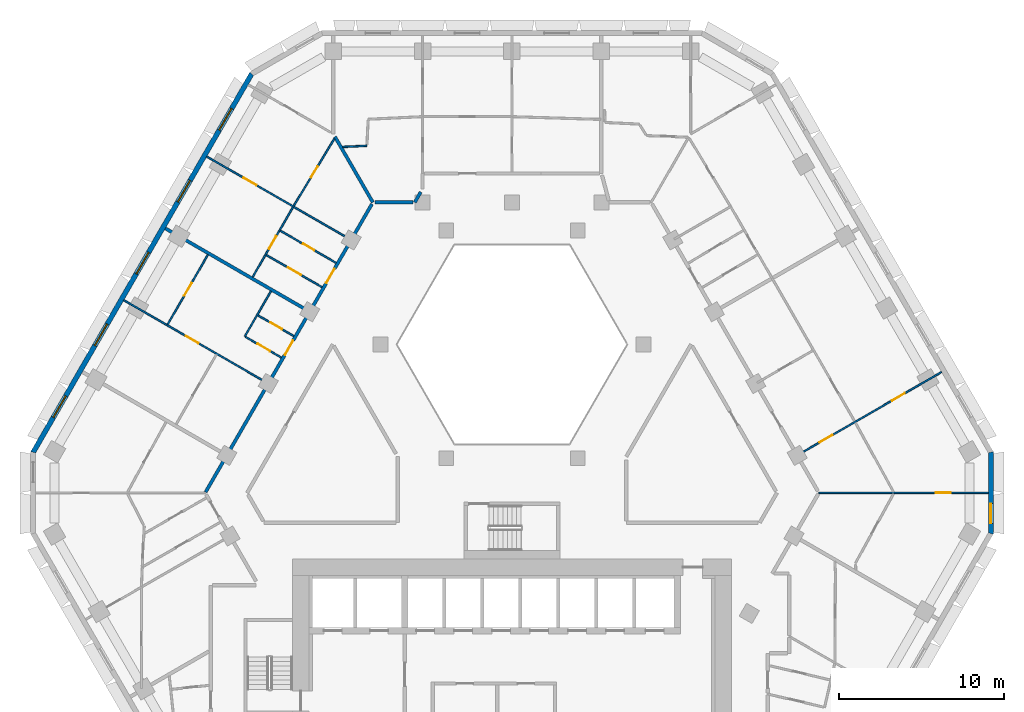
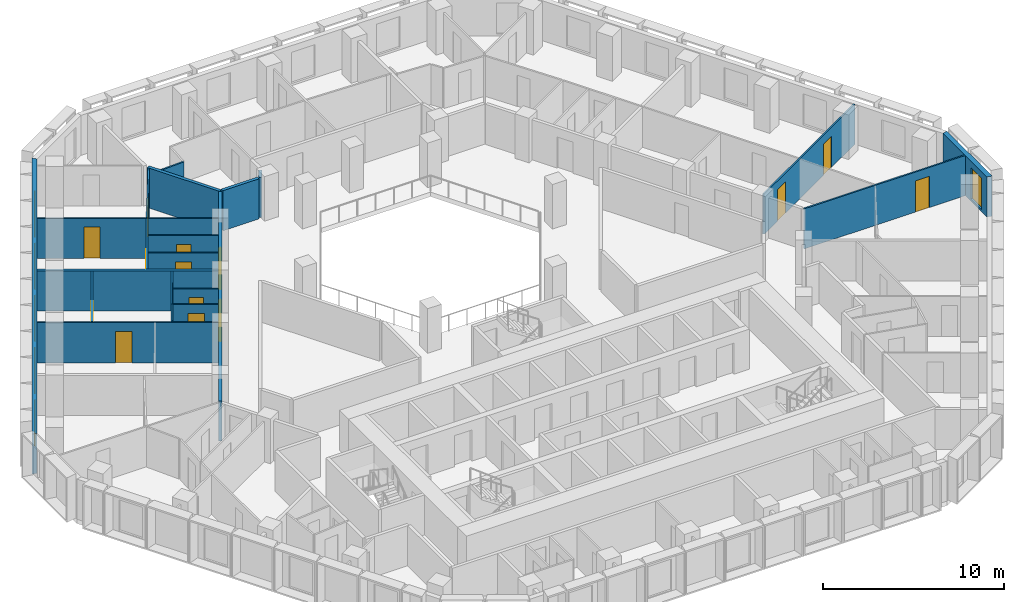
# One storey, part 7 of 15: 20 walls, 14 doors, 6 windows, 20 openings.
"""IFC4 building model written with IfcOpenShell, lengths in metres."""

import ifcopenshell
import ifcopenshell.guid

model = None  # the IFC model being written
_history = None  # IfcOwnerHistory: only IFC2X3 demands one
_inside = {}  # id of a spatial element -> (the spatial element, [elements in it])
_under = {}  # id of a project, library or spatial element -> (it, [spatial elements below it])
_declared = {}  # id of a project -> (the project, [libraries it declares])
_typed = {}  # id of a type object -> (the type object, [elements of that type])
_made_of = {}  # id of a material, layer set ... -> (it, [elements and type objects made of it])


def new_model(schema):
    """Start an empty IFC model of exactly this schema.

    Asked for "IFC4X3", IfcOpenShell would pick the latest addendum, in which some entities
    have other attributes; the version numbers below select the first issue.
    IFC2X3 requires an IfcOwnerHistory on every rooted entity: one is made here for all.
    """
    global model, _history
    if schema == "IFC4X3":
        model = ifcopenshell.file(schema_version=(4, 3, 0, 0))
    else:
        model = ifcopenshell.file(schema=schema)
    _inside.clear()
    _under.clear()
    _declared.clear()
    _typed.clear()
    _made_of.clear()
    _history = None
    if model.schema == "IFC2X3":
        org = make("IfcOrganization", Name="unknown")
        user = make(
            "IfcPersonAndOrganization",
            ThePerson=make("IfcPerson", FamilyName="unknown"),
            TheOrganization=org,
        )
        app = make(
            "IfcApplication",
            ApplicationDeveloper=org,
            Version="unknown",
            ApplicationFullName="unknown",
            ApplicationIdentifier="unknown",
        )
        _history = make(
            "IfcOwnerHistory",
            OwningUser=user,
            OwningApplication=app,
            ChangeAction="ADDED",
            CreationDate=0,
        )
    return model


def make(cls, **values):
    """One entity of the class cls with the attributes given. An attribute that is None is left unset."""
    return model.create_entity(
        cls, **{name: value for name, value in values.items() if value is not None}
    )


def rooted(cls, **values):
    """An entity with a GlobalId (a new one), such as an element, a storey or a relation."""
    return make(cls, GlobalId=ifcopenshell.guid.new(), OwnerHistory=_history, **values)


def si_unit(unit_type, name, prefix=None):
    """IfcSIUnit, for example si_unit("LENGTHUNIT", "METRE", prefix="MILLI")."""
    return make("IfcSIUnit", UnitType=unit_type, Prefix=prefix, Name=name)


def assignment(units):
    """IfcUnitAssignment: the units of a project."""
    return None if units is None else make("IfcUnitAssignment", Units=units)


def point(xyz):
    """IfcCartesianPoint."""
    return None if xyz is None else make("IfcCartesianPoint", Coordinates=xyz)


def direction(xyz):
    """IfcDirection."""
    return None if xyz is None else make("IfcDirection", DirectionRatios=xyz)


def frame(location, z_axis=None, x_axis=None):
    """IfcAxis2Placement3D, a coordinate frame: its origin and axes. An axis left out is left unset."""
    return make(
        "IfcAxis2Placement3D",
        Location=point(location),
        Axis=direction(z_axis),
        RefDirection=direction(x_axis),
    )


def frame_2d(location, x_axis=None):
    """IfcAxis2Placement2D, a coordinate frame in the plane: its origin and x axis."""
    return make(
        "IfcAxis2Placement2D", Location=point(location), RefDirection=direction(x_axis)
    )


def origin():
    """The frame at (0, 0, 0) with its axes left unset."""
    return frame((0.0, 0.0, 0.0))


def place(relative_to, where):
    """IfcLocalPlacement: puts the frame where relative to a parent placement (None: the world)."""
    return make(
        "IfcLocalPlacement", PlacementRelTo=relative_to, RelativePlacement=where
    )


def context(
    kind, dimensions, precision=None, world=None, true_north=None, identifier=None
):
    """IfcGeometricRepresentationContext, for example the 3D "Model" context."""
    return make(
        "IfcGeometricRepresentationContext",
        ContextIdentifier=identifier,
        ContextType=kind,
        CoordinateSpaceDimension=dimensions,
        Precision=precision,
        WorldCoordinateSystem=world,
        TrueNorth=true_north,
    )


def subcontext(parent, identifier, kind, view, scale=None):
    """IfcGeometricRepresentationSubContext, for example "Body" below "Model"."""
    return make(
        "IfcGeometricRepresentationSubContext",
        ContextIdentifier=identifier,
        ContextType=kind,
        ParentContext=parent,
        TargetScale=scale,
        TargetView=view,
    )


def project(units=None, contexts=None):
    """IfcProject with its units and contexts."""
    return rooted(
        "IfcProject",
        Name="project",
        RepresentationContexts=contexts,
        UnitsInContext=assignment(units),
    )


def spatial(cls, under=None, at=None, **own):
    """A site, building, storey or space (cls), placed at a placement, below another one or the project."""
    s = rooted(cls, ObjectPlacement=at, **own)
    if under is not None:
        _under.setdefault(under.id(), (under, []))[1].append(s)
    return s


def polyline(points):
    """IfcPolyline through the points."""
    return make("IfcPolyline", Points=[point(p) for p in points])


def profile(cls, at=None, kind="AREA", **sizes):
    """A parametric profile (cls). Its sizes go by their IFC names, for example OverallWidth=200.0."""
    return make(cls, ProfileType=kind, Position=at, **sizes)


def rectangle(**sizes):
    """IfcRectangleProfileDef."""
    return profile("IfcRectangleProfileDef", **sizes)


def outline(outer, holes=None, kind="AREA"):
    """IfcArbitraryClosedProfileDef: a profile drawn as a closed curve; with holes, ...WithVoids."""
    if holes is None:
        return make("IfcArbitraryClosedProfileDef", ProfileType=kind, OuterCurve=outer)
    return make(
        "IfcArbitraryProfileDefWithVoids",
        ProfileType=kind,
        OuterCurve=outer,
        InnerCurves=holes,
    )


def extrude(swept, where, along, depth):
    """IfcExtrudedAreaSolid: the profile swept, set in the frame where, extruded along a direction by depth."""
    return make(
        "IfcExtrudedAreaSolid",
        SweptArea=swept,
        Position=where,
        ExtrudedDirection=direction(along),
        Depth=depth,
    )


def shape(context_of_items, identifier, shape_type, items):
    """IfcShapeRepresentation: the items that make up one representation, for example the "Body"."""
    return make(
        "IfcShapeRepresentation",
        ContextOfItems=context_of_items,
        RepresentationIdentifier=identifier,
        RepresentationType=shape_type,
        Items=items,
    )


def material(Name=None, Category=None):
    """IfcMaterial."""
    return make("IfcMaterial", Name=Name, Category=Category)


def layer(
    of_material, thickness, ventilated=None, Name=None, Category=None, Priority=None
):
    """IfcMaterialLayer: one layer of a wall or slab, of a material (None: an air gap)."""
    return make(
        "IfcMaterialLayer",
        Material=of_material,
        LayerThickness=thickness,
        IsVentilated=ventilated,
        Name=Name,
        Category=Category,
        Priority=Priority,
    )


def layer_set(layers, Name=None):
    """IfcMaterialLayerSet."""
    return make("IfcMaterialLayerSet", MaterialLayers=layers, LayerSetName=Name)


def made_of(thing, what):
    """Note that an element or type object is made of a material, layer set ...; save() writes the relation."""
    if what is not None:
        _made_of.setdefault(what.id(), (what, []))[1].append(thing)
    return thing


def type_object(cls, material=None, **own):
    """A type object (cls), such as IfcWallType, which elements share."""
    return made_of(rooted(cls, **own), material)


def element(
    cls,
    number,
    at=None,
    inside=None,
    cuts=None,
    type_object=None,
    material=None,
    context=None,
    identifier="Body",
    shape_type=None,
    held_by="IfcProductDefinitionShape",
    body=None,
    shapes=None,
    **own,
):
    """One element of the class cls, such as IfcWall. Its Tag is "e" and its number.

    at: its placement. inside: the storey or other place that contains it. cuts: it is an
    opening in that element (IfcRelVoidsElement). A single representation is given by context,
    identifier, shape_type and body (its items); several are given by shapes. held_by: the class
    of the entity that holds the representations. save() writes the other relations.
    """
    e = rooted(cls, Tag="e%d" % number, ObjectPlacement=at, **own)
    if body is not None:
        shapes = [shape(context, identifier, shape_type, body)]
    if shapes is not None:
        e.Representation = make(held_by, Representations=shapes)
    if inside is not None:
        _inside.setdefault(inside.id(), (inside, []))[1].append(e)
    if cuts is not None:
        rooted(
            "IfcRelVoidsElement", RelatingBuildingElement=cuts, RelatedOpeningElement=e
        )
    if type_object is not None:
        _typed.setdefault(type_object.id(), (type_object, []))[1].append(e)
    return made_of(e, material)


def fill(opening, filler):
    """IfcRelFillsElement: the door or window that sits in an opening."""
    return rooted(
        "IfcRelFillsElement",
        RelatingOpeningElement=opening,
        RelatedBuildingElement=filler,
    )


def aggregate(whole, parts):
    """IfcRelAggregates: a whole, such as a stair, and the parts it consists of."""
    return rooted("IfcRelAggregates", RelatingObject=whole, RelatedObjects=parts)


def save(model, path):
    """Write the relations noted so far, then the file.

    IfcRelAggregates (storeys below a building ...), IfcRelContainedInSpatialStructure (elements
    in a storey), IfcRelDefinesByType, IfcRelAssociatesMaterial and IfcRelDeclares: one each for
    every whole, place, type object, material and project.
    """
    for whole, parts in _under.values():
        aggregate(whole, parts)
    for where, things in _inside.values():
        rooted(
            "IfcRelContainedInSpatialStructure",
            RelatedElements=things,
            RelatingStructure=where,
        )
    for kind, things in _typed.values():
        rooted("IfcRelDefinesByType", RelatedObjects=things, RelatingType=kind)
    for what, things in _made_of.values():
        rooted("IfcRelAssociatesMaterial", RelatedObjects=things, RelatingMaterial=what)
    for by, libraries in _declared.values():
        rooted("IfcRelDeclares", RelatingContext=by, RelatedDefinitions=libraries)
    model.write(path)


model = new_model("IFC4")

# Units and contexts
model_context = context("Model", 3, precision=1e-05, world=origin(), true_north=direction((0.0, 1.0)))
body_context = subcontext(model_context, "Body", "Model", "MODEL_VIEW")
ifc_project = project(units=[si_unit("LENGTHUNIT", "METRE"), si_unit("AREAUNIT", "SQUARE_METRE"), si_unit("VOLUMEUNIT", "CUBIC_METRE"), si_unit("PLANEANGLEUNIT", "RADIAN"), si_unit("MASSUNIT", "GRAM", prefix="KILO")], contexts=[model_context])

# Site, building, storey
site_placement = place(None, origin())
site = spatial("IfcSite", under=ifc_project, at=site_placement, CompositionType="ELEMENT")
building_placement = place(site_placement, origin())
building = spatial("IfcBuilding", under=site, at=building_placement, Name="Beryl Residences", CompositionType="ELEMENT")
storey_placement = place(building_placement, frame((0.0, 0.0, 102.0)))
storey = spatial("IfcBuildingStorey", under=building, at=storey_placement, Name="L31", CompositionType="ELEMENT", Elevation=102.0)

# Wall, openings, windows
ifc_material_1 = material(Name="Composite metal panel with mineral wool insulation")
ifc_layer_1 = layer(ifc_material_1, 0.300048828125)
ifc_layer_set_1 = layer_set([ifc_layer_1], Name="ES1 pale metal composite panel wall 300 mm")
wall_type_1 = type_object("IfcWallType", Name="ES1 pale metal composite panel wall 300 mm", PredefinedType="SOLIDWALL", material=ifc_layer_set_1)
wall_1_placement = place(storey_placement, frame((-15.7470703125, 24.425048828125, 0.0), z_axis=(0.0, 0.0, 1.0), x_axis=(-0.500027479704, -0.866009537788, 0.0)))
wall_1 = element("IfcWall", 1, at=wall_1_placement, inside=storey, type_object=wall_type_1, Name="ES1 external wall L31 NW", PredefinedType="SOLIDWALL", context=body_context, shape_type="SweptSolid", body=[
    extrude(outline(polyline([(0.0, -0.14990234375), (26.55859375, -0.14990234375), (26.478271484375, 0.14990234375), (0.080322265625, 0.14990234375), (0.0, -0.14990234375)])), origin(), (0.0, 0.0, 1.0), 2.699951171875),
])
opening_1_placement = place(wall_1_placement, frame((2.48291015625, 0.0, 0.14990234375)))
opening_1 = element("IfcOpeningElement", 2, at=opening_1_placement, cuts=wall_1, Name="Opening W1", PredefinedType="OPENING", context=body_context, shape_type="SweptSolid", body=[
    extrude(rectangle(XDim=1.5, YDim=2.10009765625, at=frame_2d((0.75, 1.050048828125))), frame((0.0, 0.159912109375, 0.0), z_axis=(0.0, -1.0, 0.0), x_axis=(1.0, 0.0, 0.0)), (0.0, 0.0, 1.0), 0.320068359375),
])
opening_2_placement = place(wall_1_placement, frame((7.506103515625, 0.0, 0.14990234375)))
opening_2 = element("IfcOpeningElement", 3, at=opening_2_placement, cuts=wall_1, Name="Opening W1", PredefinedType="OPENING", context=body_context, shape_type="SweptSolid", body=[
    extrude(rectangle(XDim=1.5, YDim=2.10009765625, at=frame_2d((0.75, 1.050048828125))), frame((0.0, 0.159912109375, 0.0), z_axis=(0.0, -1.0, 0.0), x_axis=(1.0, 0.0, 0.0)), (0.0, 0.0, 1.0), 0.320068359375),
])
opening_3_placement = place(wall_1_placement, frame((12.529052734375, 0.0, 0.14990234375)))
opening_3 = element("IfcOpeningElement", 4, at=opening_3_placement, cuts=wall_1, Name="Opening W1", PredefinedType="OPENING", context=body_context, shape_type="SweptSolid", body=[
    extrude(rectangle(XDim=1.5, YDim=2.10009765625, at=frame_2d((0.75, 1.050048828125))), frame((0.0, 0.159912109375, 0.0), z_axis=(0.0, -1.0, 0.0), x_axis=(1.0, 0.0, 0.0)), (0.0, 0.0, 1.0), 0.320068359375),
])
opening_4_placement = place(wall_1_placement, frame((17.552001953125, 0.0, 0.14990234375)))
opening_4 = element("IfcOpeningElement", 5, at=opening_4_placement, cuts=wall_1, Name="Opening W1", PredefinedType="OPENING", context=body_context, shape_type="SweptSolid", body=[
    extrude(rectangle(XDim=1.5, YDim=2.10009765625, at=frame_2d((0.75, 1.050048828125))), frame((0.0, 0.159912109375, 0.0), z_axis=(0.0, -1.0, 0.0), x_axis=(1.0, 0.0, 0.0)), (0.0, 0.0, 1.0), 0.320068359375),
])
opening_5_placement = place(wall_1_placement, frame((22.574951171875, 0.0, 0.14990234375)))
opening_5 = element("IfcOpeningElement", 6, at=opening_5_placement, cuts=wall_1, Name="Opening W1", PredefinedType="OPENING", context=body_context, shape_type="SweptSolid", body=[
    extrude(rectangle(XDim=1.5, YDim=2.10009765625, at=frame_2d((0.75, 1.050048828125))), frame((0.0, 0.159912109375, 0.0), z_axis=(0.0, -1.0, 0.0), x_axis=(1.0, 0.0, 0.0)), (0.0, 0.0, 1.0), 0.320068359375),
])
ifc_material_2 = material(Name="Aluminium and clear glass", Category="aluminium")
window_type_1 = type_object("IfcWindowType", Name="W1 cell window 1500 x 2100 mm", PartitioningType="SINGLE_PANEL", PredefinedType="WINDOW", material=ifc_material_2)
window_1_placement = place(opening_1_placement, origin())
window_1 = element("IfcWindow", 7, at=window_1_placement, inside=storey, type_object=window_type_1, Name="W1 window L31 NW 2", OverallHeight=2.10009765625, OverallWidth=1.5, PartitioningType="SINGLE_PANEL", PredefinedType="WINDOW", context=body_context, shape_type="SweptSolid", body=[
    extrude(rectangle(XDim=1.5, YDim=2.10009765625, at=frame_2d((0.75, 1.050048828125))), frame((0.0, 0.030029296875, 0.0), z_axis=(0.0, -1.0, 0.0), x_axis=(1.0, 0.0, 0.0)), (0.0, 0.0, 1.0), 0.06005859375),
])
fill(opening_1, window_1)
window_2_placement = place(opening_2_placement, origin())
window_2 = element("IfcWindow", 8, at=window_2_placement, inside=storey, type_object=window_type_1, Name="W1 window L31 NW 4", OverallHeight=2.10009765625, OverallWidth=1.5, PartitioningType="SINGLE_PANEL", PredefinedType="WINDOW", context=body_context, shape_type="SweptSolid", body=[
    extrude(rectangle(XDim=1.5, YDim=2.10009765625, at=frame_2d((0.75, 1.050048828125))), frame((0.0, 0.030029296875, 0.0), z_axis=(0.0, -1.0, 0.0), x_axis=(1.0, 0.0, 0.0)), (0.0, 0.0, 1.0), 0.06005859375),
])
fill(opening_2, window_2)
window_3_placement = place(opening_3_placement, origin())
window_3 = element("IfcWindow", 9, at=window_3_placement, inside=storey, type_object=window_type_1, Name="W1 window L31 NW 6", OverallHeight=2.10009765625, OverallWidth=1.5, PartitioningType="SINGLE_PANEL", PredefinedType="WINDOW", context=body_context, shape_type="SweptSolid", body=[
    extrude(rectangle(XDim=1.5, YDim=2.10009765625, at=frame_2d((0.75, 1.050048828125))), frame((0.0, 0.030029296875, 0.0), z_axis=(0.0, -1.0, 0.0), x_axis=(1.0, 0.0, 0.0)), (0.0, 0.0, 1.0), 0.06005859375),
])
fill(opening_3, window_3)
window_4_placement = place(opening_4_placement, origin())
window_4 = element("IfcWindow", 10, at=window_4_placement, inside=storey, type_object=window_type_1, Name="W1 window L31 NW 8", OverallHeight=2.10009765625, OverallWidth=1.5, PartitioningType="SINGLE_PANEL", PredefinedType="WINDOW", context=body_context, shape_type="SweptSolid", body=[
    extrude(rectangle(XDim=1.5, YDim=2.10009765625, at=frame_2d((0.75, 1.050048828125))), frame((0.0, 0.030029296875, 0.0), z_axis=(0.0, -1.0, 0.0), x_axis=(1.0, 0.0, 0.0)), (0.0, 0.0, 1.0), 0.06005859375),
])
fill(opening_4, window_4)
window_5_placement = place(opening_5_placement, origin())
window_5 = element("IfcWindow", 11, at=window_5_placement, inside=storey, type_object=window_type_1, Name="W1 window L31 NW 10", OverallHeight=2.10009765625, OverallWidth=1.5, PartitioningType="SINGLE_PANEL", PredefinedType="WINDOW", context=body_context, shape_type="SweptSolid", body=[
    extrude(rectangle(XDim=1.5, YDim=2.10009765625, at=frame_2d((0.75, 1.050048828125))), frame((0.0, 0.030029296875, 0.0), z_axis=(0.0, -1.0, 0.0), x_axis=(1.0, 0.0, 0.0)), (0.0, 0.0, 1.0), 0.06005859375),
])
fill(opening_5, window_5)

# Wall, opening, window
wall_2_placement = place(storey_placement, frame((29.007080078125, -3.5, 0.0), z_axis=(0.0, 0.0, 1.0), x_axis=(0.0, 1.0, 0.0)))
wall_2 = element("IfcWall", 12, at=wall_2_placement, inside=storey, type_object=wall_type_1, Name="ES1 external wall L31 SE-NE", PredefinedType="SOLIDWALL", context=body_context, shape_type="SweptSolid", body=[
    extrude(outline(polyline([(0.0, -0.14990234375), (5.0, -0.14990234375), (4.919677734375, 0.14990234375), (0.080322265625, 0.14990234375), (0.0, -0.14990234375)])), origin(), (0.0, 0.0, 1.0), 2.699951171875),
])
opening_6_placement = place(wall_2_placement, frame((0.64990234375, 0.0, 0.14990234375)))
opening_6 = element("IfcOpeningElement", 13, at=opening_6_placement, cuts=wall_2, Name="Opening W2", PredefinedType="OPENING", context=body_context, shape_type="SweptSolid", body=[
    extrude(rectangle(XDim=1.199951171875, YDim=2.10009765625, at=frame_2d((0.60009765625, 1.050048828125))), frame((0.0, 0.159912109375, 0.0), z_axis=(0.0, -1.0, 0.0), x_axis=(1.0, 0.0, 0.0)), (0.0, 0.0, 1.0), 0.320068359375),
])
ifc_material_3 = material(Name="Aluminium and clear glass", Category="aluminium")
window_type_2 = type_object("IfcWindowType", Name="W2 chamfer window 1200 x 2100 mm", PartitioningType="SINGLE_PANEL", PredefinedType="WINDOW", material=ifc_material_3)
window_6_placement = place(opening_6_placement, origin())
window_6 = element("IfcWindow", 14, at=window_6_placement, inside=storey, type_object=window_type_2, Name="W2 window L31 SE-NE 1", OverallHeight=2.10009765625, OverallWidth=1.199951171875, PartitioningType="SINGLE_PANEL", PredefinedType="WINDOW", context=body_context, shape_type="SweptSolid", body=[
    extrude(rectangle(XDim=1.199951171875, YDim=2.10009765625, at=frame_2d((0.60009765625, 1.050048828125))), frame((0.0, 0.030029296875, 0.0), z_axis=(0.0, -1.0, 0.0), x_axis=(1.0, 0.0, 0.0)), (0.0, 0.0, 1.0), 0.06005859375),
])
fill(opening_6, window_6)

# Wall, opening, door
ifc_material_4 = material(Name="Gypsum board partition on steel studs", Category="steel")
ifc_layer_2 = layer(ifc_material_4, 0.10009765625)
ifc_layer_set_2 = layer_set([ifc_layer_2], Name="PT1 partition 100 mm gypsum board on steel studs")
wall_type_2 = type_object("IfcWallType", Name="PT1 partition 100 mm gypsum board on steel studs", PredefinedType="PARTITIONING", material=ifc_layer_set_2)
wall_3_placement = place(storey_placement, frame((-16.14599609375, 8.451904296875, 0.0), z_axis=(0.0, 0.0, 1.0), x_axis=(0.865983051302, -0.500073349477, 0.0)))
wall_3 = element("IfcWall", 15, at=wall_3_placement, inside=storey, type_object=wall_type_2, Name="Wall PT1 L31 018", PredefinedType="PARTITIONING", context=body_context, shape_type="SweptSolid", body=[
    extrude(rectangle(XDim=2.50927734375, YDim=0.10009765625, at=frame_2d((1.254638671875, 0.0))), origin(), (0.0, 0.0, 1.0), 2.699951171875),
])
opening_7_placement = place(wall_3_placement, frame((0.8291015625, 0.0, 0.0)))
opening_7 = element("IfcOpeningElement", 16, at=opening_7_placement, cuts=wall_3, Name="Opening D0945", PredefinedType="OPENING", context=body_context, shape_type="SweptSolid", body=[
    extrude(rectangle(XDim=0.89990234375, YDim=2.10009765625, at=frame_2d((0.449951171875, 1.050048828125))), frame((0.0, 0.06005859375, 0.0), z_axis=(0.0, -1.0, 0.0), x_axis=(1.0, 0.0, 0.0)), (0.0, 0.0, 1.0), 0.1201171875),
])
ifc_material_5 = material(Name="Timber door leaf", Category="wood")
door_type_1 = type_object("IfcDoorType", Name="D2 room door 900 x 2100 mm", OperationType="SINGLE_SWING_LEFT", PredefinedType="DOOR", material=ifc_material_5)
door_1_placement = place(opening_7_placement, origin())
door_1 = element("IfcDoor", 17, at=door_1_placement, inside=storey, type_object=door_type_1, Name="Door D0945 L31 001", OperationType="SINGLE_SWING_LEFT", OverallHeight=2.10009765625, OverallWidth=0.89990234375, PredefinedType="DOOR", context=body_context, shape_type="SweptSolid", body=[
    extrude(rectangle(XDim=0.89990234375, YDim=2.10009765625, at=frame_2d((0.449951171875, 1.050048828125))), frame((0.0, 0.02490234375, 0.0), z_axis=(0.0, -1.0, 0.0), x_axis=(1.0, 0.0, 0.0)), (0.0, 0.0, 1.0), 0.050048828125),
])
fill(opening_7, door_1)

wall_4_placement = place(storey_placement, frame((-23.512939453125, 10.675048828125, 0.0), z_axis=(0.0, 0.0, 1.0), x_axis=(0.866041268327, -0.499972520799, 0.0)))
wall_4 = element("IfcWall", 18, at=wall_4_placement, inside=storey, type_object=wall_type_2, Name="Wall PT1 L31 019", PredefinedType="PARTITIONING", context=body_context, shape_type="SweptSolid", body=[
    extrude(rectangle(XDim=10.00048828125, YDim=0.10009765625, at=frame_2d((5.000244140625, 0.0))), origin(), (0.0, 0.0, 1.0), 2.699951171875),
])
opening_8_placement = place(wall_4_placement, frame((4.324951171875, 0.0, 0.0)))
opening_8 = element("IfcOpeningElement", 19, at=opening_8_placement, cuts=wall_4, Name="Opening D0948", PredefinedType="OPENING", context=body_context, shape_type="SweptSolid", body=[
    extrude(rectangle(XDim=0.89990234375, YDim=2.10009765625, at=frame_2d((0.449951171875, 1.050048828125))), frame((0.0, 0.06005859375, 0.0), z_axis=(0.0, -1.0, 0.0), x_axis=(1.0, 0.0, 0.0)), (0.0, 0.0, 1.0), 0.1201171875),
])
door_2_placement = place(opening_8_placement, origin())
door_2 = element("IfcDoor", 20, at=door_2_placement, inside=storey, type_object=door_type_1, Name="Door D0948 L31 001", OperationType="SINGLE_SWING_RIGHT", OverallHeight=2.10009765625, OverallWidth=0.89990234375, PredefinedType="DOOR", context=body_context, shape_type="SweptSolid", body=[
    extrude(rectangle(XDim=0.89990234375, YDim=2.10009765625, at=frame_2d((0.449951171875, 1.050048828125))), frame((0.0, 0.02490234375, 0.0), z_axis=(0.0, -1.0, 0.0), x_axis=(1.0, 0.0, 0.0)), (0.0, 0.0, 1.0), 0.050048828125),
])
fill(opening_8, door_2)

wall_5_placement = place(storey_placement, frame((-14.884033203125, 13.412109375, 0.0), z_axis=(0.0, 0.0, 1.0), x_axis=(0.866024880635, -0.500000906121, 0.0)))
wall_5 = element("IfcWall", 21, at=wall_5_placement, inside=storey, type_object=wall_type_2, Name="Wall PT1 L31 021", PredefinedType="PARTITIONING", context=body_context, shape_type="SweptSolid", body=[
    extrude(rectangle(XDim=3.89599609375, YDim=0.10009765625, at=frame_2d((1.947998046875, 0.0))), origin(), (0.0, 0.0, 1.0), 2.699951171875),
])
opening_9_placement = place(wall_5_placement, frame((1.52294921875, 0.0, 0.0)))
opening_9 = element("IfcOpeningElement", 22, at=opening_9_placement, cuts=wall_5, Name="Opening D0939", PredefinedType="OPENING", context=body_context, shape_type="SweptSolid", body=[
    extrude(rectangle(XDim=0.89990234375, YDim=2.10009765625, at=frame_2d((0.449951171875, 1.050048828125))), frame((0.0, 0.06005859375, 0.0), z_axis=(0.0, -1.0, 0.0), x_axis=(1.0, 0.0, 0.0)), (0.0, 0.0, 1.0), 0.1201171875),
])
door_3_placement = place(opening_9_placement, origin())
door_3 = element("IfcDoor", 23, at=door_3_placement, inside=storey, type_object=door_type_1, Name="Door D0939 L31 001", OperationType="SINGLE_SWING_LEFT", OverallHeight=2.10009765625, OverallWidth=0.89990234375, PredefinedType="DOOR", context=body_context, shape_type="SweptSolid", body=[
    extrude(rectangle(XDim=0.89990234375, YDim=2.10009765625, at=frame_2d((0.449951171875, 1.050048828125))), frame((0.0, 0.02490234375, 0.0), z_axis=(0.0, -1.0, 0.0), x_axis=(1.0, 0.0, 0.0)), (0.0, 0.0, 1.0), 0.050048828125),
])
fill(opening_9, door_3)

wall_6_placement = place(storey_placement, frame((-14.033935546875, 14.884033203125, 0.0), z_axis=(0.0, 0.0, 1.0), x_axis=(0.866024880635, -0.500000906121, 0.0)))
wall_6 = element("IfcWall", 24, at=wall_6_placement, inside=storey, type_object=wall_type_2, Name="Wall PT1 L31 022", PredefinedType="PARTITIONING", context=body_context, shape_type="SweptSolid", body=[
    extrude(rectangle(XDim=3.89599609375, YDim=0.10009765625, at=frame_2d((1.947998046875, 0.0))), origin(), (0.0, 0.0, 1.0), 2.699951171875),
])
opening_10_placement = place(wall_6_placement, frame((1.572998046875, 0.0, 0.0)))
opening_10 = element("IfcOpeningElement", 25, at=opening_10_placement, cuts=wall_6, Name="Opening D0938", PredefinedType="OPENING", context=body_context, shape_type="SweptSolid", body=[
    extrude(rectangle(XDim=0.800048828125, YDim=2.10009765625, at=frame_2d((0.39990234375, 1.050048828125))), frame((0.0, 0.06005859375, 0.0), z_axis=(0.0, -1.0, 0.0), x_axis=(1.0, 0.0, 0.0)), (0.0, 0.0, 1.0), 0.1201171875),
])
ifc_material_6 = material(Name="Timber door leaf", Category="wood")
door_type_2 = type_object("IfcDoorType", Name="D3 bathroom door 800 x 2100 mm", OperationType="SINGLE_SWING_LEFT", PredefinedType="DOOR", material=ifc_material_6)
door_4_placement = place(opening_10_placement, origin())
door_4 = element("IfcDoor", 26, at=door_4_placement, inside=storey, type_object=door_type_2, Name="Door D0938 L31 001", OperationType="SINGLE_SWING_RIGHT", OverallHeight=2.10009765625, OverallWidth=0.800048828125, PredefinedType="DOOR", context=body_context, shape_type="SweptSolid", body=[
    extrude(rectangle(XDim=0.800048828125, YDim=2.10009765625, at=frame_2d((0.39990234375, 1.050048828125))), frame((0.0, 0.02490234375, 0.0), z_axis=(0.0, -1.0, 0.0), x_axis=(1.0, 0.0, 0.0)), (0.0, 0.0, 1.0), 0.050048828125),
])
fill(opening_10, door_4)

wall_7_placement = place(storey_placement, frame((-15.39404296875, 9.757080078125, 0.0), z_axis=(0.0, 0.0, 1.0), x_axis=(0.866038211682, -0.499977815414, 0.0)))
wall_7 = element("IfcWall", 27, at=wall_7_placement, inside=storey, type_object=wall_type_2, Name="Wall PT1 L31 023", PredefinedType="PARTITIONING", context=body_context, shape_type="SweptSolid", body=[
    extrude(rectangle(XDim=2.51025390625, YDim=0.10009765625, at=frame_2d((1.255126953125, 0.0))), origin(), (0.0, 0.0, 1.0), 2.699951171875),
])
opening_11_placement = place(wall_7_placement, frame((0.8798828125, 0.0, 0.0)))
opening_11 = element("IfcOpeningElement", 28, at=opening_11_placement, cuts=wall_7, Name="Opening D0946", PredefinedType="OPENING", context=body_context, shape_type="SweptSolid", body=[
    extrude(rectangle(XDim=0.800048828125, YDim=2.10009765625, at=frame_2d((0.39990234375, 1.050048828125))), frame((0.0, 0.06005859375, 0.0), z_axis=(0.0, -1.0, 0.0), x_axis=(1.0, 0.0, 0.0)), (0.0, 0.0, 1.0), 0.1201171875),
])
door_5_placement = place(opening_11_placement, origin())
door_5 = element("IfcDoor", 29, at=door_5_placement, inside=storey, type_object=door_type_2, Name="Door D0946 L31 001", OperationType="SINGLE_SWING_RIGHT", OverallHeight=2.10009765625, OverallWidth=0.800048828125, PredefinedType="DOOR", context=body_context, shape_type="SweptSolid", body=[
    extrude(rectangle(XDim=0.800048828125, YDim=2.10009765625, at=frame_2d((0.39990234375, 1.050048828125))), frame((0.0, 0.02490234375, 0.0), z_axis=(0.0, -1.0, 0.0), x_axis=(1.0, 0.0, 0.0)), (0.0, 0.0, 1.0), 0.050048828125),
])
fill(opening_11, door_5)

wall_8_placement = place(storey_placement, frame((-18.489013671875, 19.375, 0.0), z_axis=(0.0, 0.0, 1.0), x_axis=(0.866016855193, -0.500014806302, 0.0)))
wall_8 = element("IfcWall", 30, at=wall_8_placement, inside=storey, type_object=wall_type_2, Name="Wall PT1 L31 024", PredefinedType="PARTITIONING", context=body_context, shape_type="SweptSolid", body=[
    extrude(rectangle(XDim=9.999755859375, YDim=0.10009765625, at=frame_2d((5.0, 0.0))), origin(), (0.0, 0.0, 1.0), 2.699951171875),
])
opening_12_placement = place(wall_8_placement, frame((2.576904296875, 0.0, 0.0)))
opening_12 = element("IfcOpeningElement", 31, at=opening_12_placement, cuts=wall_8, Name="Opening D0941", PredefinedType="OPENING", context=body_context, shape_type="SweptSolid", body=[
    extrude(rectangle(XDim=0.89990234375, YDim=2.10009765625, at=frame_2d((0.449951171875, 1.050048828125))), frame((0.0, 0.06005859375, 0.0), z_axis=(0.0, -1.0, 0.0), x_axis=(1.0, 0.0, 0.0)), (0.0, 0.0, 1.0), 0.1201171875),
])
door_6_placement = place(opening_12_placement, origin())
door_6 = element("IfcDoor", 32, at=door_6_placement, inside=storey, type_object=door_type_1, Name="Door D0941 L31 001", OperationType="SINGLE_SWING_LEFT", OverallHeight=2.10009765625, OverallWidth=0.89990234375, PredefinedType="DOOR", context=body_context, shape_type="SweptSolid", body=[
    extrude(rectangle(XDim=0.89990234375, YDim=2.10009765625, at=frame_2d((0.449951171875, 1.050048828125))), frame((0.0, 0.02490234375, 0.0), z_axis=(0.0, -1.0, 0.0), x_axis=(1.0, 0.0, 0.0)), (0.0, 0.0, 1.0), 0.050048828125),
])
fill(opening_12, door_6)

wall_9_placement = place(storey_placement, frame((18.591064453125, -0.9990234375, 0.0), z_axis=(0.0, 0.0, 1.0), x_axis=(1.0, 0.0, 0.0)))
wall_9 = element("IfcWall", 33, at=wall_9_placement, inside=storey, type_object=wall_type_2, Name="Wall PT1 L31 027", PredefinedType="PARTITIONING", context=body_context, shape_type="SweptSolid", body=[
    extrude(rectangle(XDim=10.265869140625, YDim=0.10009765625, at=frame_2d((5.1328125, 0.0))), origin(), (0.0, 0.0, 1.0), 2.699951171875),
])
opening_13_placement = place(wall_9_placement, frame((7.0791015625, 0.0, 0.0)))
opening_13 = element("IfcOpeningElement", 34, at=opening_13_placement, cuts=wall_9, Name="Opening D0921", PredefinedType="OPENING", context=body_context, shape_type="SweptSolid", body=[
    extrude(rectangle(XDim=0.89990234375, YDim=2.10009765625, at=frame_2d((0.449951171875, 1.050048828125))), frame((0.0, 0.06005859375, 0.0), z_axis=(0.0, -1.0, 0.0), x_axis=(1.0, 0.0, 0.0)), (0.0, 0.0, 1.0), 0.1201171875),
])
door_7_placement = place(opening_13_placement, origin())
door_7 = element("IfcDoor", 35, at=door_7_placement, inside=storey, type_object=door_type_1, Name="Door D0921 L31 001", OperationType="SINGLE_SWING_LEFT", OverallHeight=2.10009765625, OverallWidth=0.89990234375, PredefinedType="DOOR", context=body_context, shape_type="SweptSolid", body=[
    extrude(rectangle(XDim=0.89990234375, YDim=2.10009765625, at=frame_2d((0.449951171875, 1.050048828125))), frame((0.0, 0.02490234375, 0.0), z_axis=(0.0, -1.0, 0.0), x_axis=(1.0, 0.0, 0.0)), (0.0, 0.0, 1.0), 0.050048828125),
])
fill(opening_13, door_7)

wall_10_placement = place(storey_placement, frame((-13.220947265625, 16.39111328125, 0.0), z_axis=(0.0, 0.0, 1.0), x_axis=(0.518164725284, 0.855280841286, 0.0)))
wall_10 = element("IfcWall", 36, at=wall_10_placement, inside=storey, type_object=wall_type_2, Name="Wall PT1 L31 032", PredefinedType="PARTITIONING", context=body_context, shape_type="SweptSolid", body=[
    extrude(rectangle(XDim=4.739990234375, YDim=0.10009765625, at=frame_2d((2.3701171875, 0.0))), origin(), (0.0, 0.0, 1.0), 2.699951171875),
])
opening_14_placement = place(wall_10_placement, frame((2.001953125, 0.0, 0.0)))
opening_14 = element("IfcOpeningElement", 37, at=opening_14_placement, cuts=wall_10, Name="Opening D0943", PredefinedType="OPENING", context=body_context, shape_type="SweptSolid", body=[
    extrude(rectangle(XDim=0.800048828125, YDim=2.10009765625, at=frame_2d((0.39990234375, 1.050048828125))), frame((0.0, 0.06005859375, 0.0), z_axis=(0.0, -1.0, 0.0), x_axis=(1.0, 0.0, 0.0)), (0.0, 0.0, 1.0), 0.1201171875),
])
door_8_placement = place(opening_14_placement, origin())
door_8 = element("IfcDoor", 38, at=door_8_placement, inside=storey, type_object=door_type_2, Name="Door D0943 L31 001", OperationType="SINGLE_SWING_LEFT", OverallHeight=2.10009765625, OverallWidth=0.800048828125, PredefinedType="DOOR", context=body_context, shape_type="SweptSolid", body=[
    extrude(rectangle(XDim=0.800048828125, YDim=2.10009765625, at=frame_2d((0.39990234375, 1.050048828125))), frame((0.0, 0.02490234375, 0.0), z_axis=(0.0, -1.0, 0.0), x_axis=(1.0, 0.0, 0.0)), (0.0, 0.0, 1.0), 0.050048828125),
])
fill(opening_14, door_8)

# Wall
wall_11_placement = place(storey_placement, frame((-16.18994140625, 8.47802734375, 0.0), z_axis=(0.0, 0.0, 1.0), x_axis=(0.500156715107, 0.865934905367, 0.0)))
element("IfcWall", 39, at=wall_11_placement, inside=storey, type_object=wall_type_2, Name="Wall PT1 L31 036", PredefinedType="PARTITIONING", context=body_context, shape_type="SweptSolid", body=[
    extrude(rectangle(XDim=3.1630859375, YDim=0.10009765625, at=frame_2d((1.58154296875, 0.0))), origin(), (0.0, 0.0, 1.0), 2.699951171875),
])

# Wall, opening, door
wall_12_placement = place(storey_placement, frame((-15.7080078125, 12.0849609375, 0.0), z_axis=(0.0, 0.0, 1.0), x_axis=(0.499943653708, 0.866057932887, 0.0)))
wall_12 = element("IfcWall", 40, at=wall_12_placement, inside=storey, type_object=wall_type_2, Name="Wall PT1 L31 038", PredefinedType="PARTITIONING", context=body_context, shape_type="SweptSolid", body=[
    extrude(rectangle(XDim=4.87255859375, YDim=0.10009765625, at=frame_2d((2.436279296875, 0.0))), origin(), (0.0, 0.0, 1.0), 2.699951171875),
])
opening_15_placement = place(wall_12_placement, frame((1.9619140625, 0.0, 0.0)))
opening_15 = element("IfcOpeningElement", 41, at=opening_15_placement, cuts=wall_12, Name="Opening D0940", PredefinedType="OPENING", context=body_context, shape_type="SweptSolid", body=[
    extrude(rectangle(XDim=0.89990234375, YDim=2.10009765625, at=frame_2d((0.449951171875, 1.050048828125))), frame((0.0, 0.06005859375, 0.0), z_axis=(0.0, -1.0, 0.0), x_axis=(1.0, 0.0, 0.0)), (0.0, 0.0, 1.0), 0.1201171875),
])
door_9_placement = place(opening_15_placement, origin())
door_9 = element("IfcDoor", 42, at=door_9_placement, inside=storey, type_object=door_type_1, Name="Door D0940 L31 001", OperationType="SINGLE_SWING_RIGHT", OverallHeight=2.10009765625, OverallWidth=0.89990234375, PredefinedType="DOOR", context=body_context, shape_type="SweptSolid", body=[
    extrude(rectangle(XDim=0.89990234375, YDim=2.10009765625, at=frame_2d((0.449951171875, 1.050048828125))), frame((0.0, 0.02490234375, 0.0), z_axis=(0.0, -1.0, 0.0), x_axis=(1.0, 0.0, 0.0)), (0.0, 0.0, 1.0), 0.050048828125),
])
fill(opening_15, door_9)

wall_13_placement = place(storey_placement, frame((-20.864013671875, 9.202880859375, 0.0), z_axis=(0.0, 0.0, 1.0), x_axis=(0.500072260509, 0.86598368014, 0.0)))
wall_13 = element("IfcWall", 43, at=wall_13_placement, inside=storey, type_object=wall_type_2, Name="Wall PT1 L31 039", PredefinedType="PARTITIONING", context=body_context, shape_type="SweptSolid", body=[
    extrude(rectangle(XDim=4.873291015625, YDim=0.10009765625, at=frame_2d((2.4365234375, 0.0))), origin(), (0.0, 0.0, 1.0), 2.699951171875),
])
opening_16_placement = place(wall_13_placement, frame((2.011962890625, 0.0, 0.0)))
opening_16 = element("IfcOpeningElement", 44, at=opening_16_placement, cuts=wall_13, Name="Opening D0947", PredefinedType="OPENING", context=body_context, shape_type="SweptSolid", body=[
    extrude(rectangle(XDim=0.89990234375, YDim=2.10009765625, at=frame_2d((0.449951171875, 1.050048828125))), frame((0.0, 0.06005859375, 0.0), z_axis=(0.0, -1.0, 0.0), x_axis=(1.0, 0.0, 0.0)), (0.0, 0.0, 1.0), 0.1201171875),
])
door_10_placement = place(opening_16_placement, origin())
door_10 = element("IfcDoor", 45, at=door_10_placement, inside=storey, type_object=door_type_1, Name="Door D0947 L31 001", OperationType="SINGLE_SWING_LEFT", OverallHeight=2.10009765625, OverallWidth=0.89990234375, PredefinedType="DOOR", context=body_context, shape_type="SweptSolid", body=[
    extrude(rectangle(XDim=0.89990234375, YDim=2.10009765625, at=frame_2d((0.449951171875, 1.050048828125))), frame((0.0, 0.02490234375, 0.0), z_axis=(0.0, -1.0, 0.0), x_axis=(1.0, 0.0, 0.0)), (0.0, 0.0, 1.0), 0.050048828125),
])
fill(opening_16, door_10)

# Wall
wall_14_placement = place(storey_placement, frame((-10.25390625, 19.9609375, 0.0), z_axis=(0.0, 0.0, 1.0), x_axis=(0.998851840647, 0.047906162812, 0.0)))
element("IfcWall", 46, at=wall_14_placement, inside=storey, type_object=wall_type_2, Name="Wall PT1 L31 057", PredefinedType="PARTITIONING", context=body_context, shape_type="SweptSolid", body=[
    extrude(rectangle(XDim=1.462646484375, YDim=0.10009765625, at=frame_2d((0.7314453125, 0.0))), origin(), (0.0, 0.0, 1.0), 2.699951171875),
])

# Wall, openings, doors
wall_15_placement = place(storey_placement, frame((17.364990234375, 1.324951171875, 0.0), z_axis=(0.0, 0.0, 1.0), x_axis=(0.866016855193, 0.500014806302, 0.0)))
wall_15 = element("IfcWall", 47, at=wall_15_placement, inside=storey, type_object=wall_type_2, Name="Wall PT1 L31 060", PredefinedType="PARTITIONING", context=body_context, shape_type="SweptSolid", body=[
    extrude(rectangle(XDim=9.999755859375, YDim=0.10009765625, at=frame_2d((5.0, 0.0))), origin(), (0.0, 0.0, 1.0), 2.699951171875),
])
opening_17_placement = place(wall_15_placement, frame((1.47412109375, 0.0, 0.0)))
opening_17 = element("IfcOpeningElement", 48, at=opening_17_placement, cuts=wall_15, Name="Opening D0919", PredefinedType="OPENING", context=body_context, shape_type="SweptSolid", body=[
    extrude(rectangle(XDim=0.89990234375, YDim=2.10009765625, at=frame_2d((0.449951171875, 1.050048828125))), frame((0.0, 0.06005859375, 0.0), z_axis=(0.0, -1.0, 0.0), x_axis=(1.0, 0.0, 0.0)), (0.0, 0.0, 1.0), 0.1201171875),
])
opening_18_placement = place(wall_15_placement, frame((6.52392578125, 0.0, 0.0)))
opening_18 = element("IfcOpeningElement", 49, at=opening_18_placement, cuts=wall_15, Name="Opening D0920", PredefinedType="OPENING", context=body_context, shape_type="SweptSolid", body=[
    extrude(rectangle(XDim=0.89990234375, YDim=2.10009765625, at=frame_2d((0.449951171875, 1.050048828125))), frame((0.0, 0.06005859375, 0.0), z_axis=(0.0, -1.0, 0.0), x_axis=(1.0, 0.0, 0.0)), (0.0, 0.0, 1.0), 0.1201171875),
])
door_11_placement = place(opening_17_placement, origin())
door_11 = element("IfcDoor", 50, at=door_11_placement, inside=storey, type_object=door_type_1, Name="Door D0919 L31 001", OperationType="SINGLE_SWING_LEFT", OverallHeight=2.10009765625, OverallWidth=0.89990234375, PredefinedType="DOOR", context=body_context, shape_type="SweptSolid", body=[
    extrude(rectangle(XDim=0.89990234375, YDim=2.10009765625, at=frame_2d((0.449951171875, 1.050048828125))), frame((0.0, 0.02490234375, 0.0), z_axis=(0.0, -1.0, 0.0), x_axis=(1.0, 0.0, 0.0)), (0.0, 0.0, 1.0), 0.050048828125),
])
fill(opening_17, door_11)
door_12_placement = place(opening_18_placement, origin())
door_12 = element("IfcDoor", 51, at=door_12_placement, inside=storey, type_object=door_type_1, Name="Door D0920 L31 001", OperationType="SINGLE_SWING_RIGHT", OverallHeight=2.10009765625, OverallWidth=0.89990234375, PredefinedType="DOOR", context=body_context, shape_type="SweptSolid", body=[
    extrude(rectangle(XDim=0.89990234375, YDim=2.10009765625, at=frame_2d((0.449951171875, 1.050048828125))), frame((0.0, 0.02490234375, 0.0), z_axis=(0.0, -1.0, 0.0), x_axis=(1.0, 0.0, 0.0)), (0.0, 0.0, 1.0), 0.050048828125),
])
fill(opening_18, door_12)

# Walls
ifc_material_7 = material(Name="Acoustic double stud gypsum board wall")
ifc_layer_3 = layer(ifc_material_7, 0.199951171875)
ifc_layer_set_3 = layer_set([ifc_layer_3], Name="PT3 party wall 200 mm acoustic double stud")
wall_type_3 = type_object("IfcWallType", Name="PT3 party wall 200 mm acoustic double stud", PredefinedType="PARTITIONING", material=ifc_layer_set_3)
wall_16_placement = place(storey_placement, frame((-10.72705078125, 20.580078125, 0.0), z_axis=(0.0, 0.0, 1.0), x_axis=(0.500041272028, -0.866001574057, 0.0)))
element("IfcWall", 52, at=wall_16_placement, inside=storey, type_object=wall_type_3, Name="Wall PT3 L31 001", PredefinedType="PARTITIONING", context=body_context, shape_type="SweptSolid", body=[
    extrude(rectangle(XDim=4.595703125, YDim=0.199951171875, at=frame_2d((2.2978515625, 0.0))), origin(), (0.0, 0.0, 1.0), 2.699951171875),
])
wall_17_placement = place(storey_placement, frame((-21.0009765625, 15.02490234375, 0.0), z_axis=(0.0, 0.0, 1.0), x_axis=(0.866016855193, -0.500014806302, 0.0)))
element("IfcWall", 53, at=wall_17_placement, inside=storey, type_object=wall_type_3, Name="Wall PT3 L31 005", PredefinedType="PARTITIONING", context=body_context, shape_type="SweptSolid", body=[
    extrude(rectangle(XDim=9.999755859375, YDim=0.199951171875, at=frame_2d((5.0, 0.0))), origin(), (0.0, 0.0, 1.0), 2.699951171875),
])
ifc_material_8 = material(Name="Double stud gypsum board wall")
ifc_layer_4 = layer(ifc_material_8, 0.199951171875)
ifc_layer_set_4 = layer_set([ifc_layer_4], Name="PT4 corridor wall 200 mm double stud")
wall_type_4 = type_object("IfcWallType", Name="PT4 corridor wall 200 mm double stud", PredefinedType="PARTITIONING", material=ifc_layer_set_4)
wall_18_placement = place(storey_placement, frame((-8.31396484375, 16.60009765625, 0.0), z_axis=(0.0, 0.0, 1.0), x_axis=(1.0, 0.0, 0.0)))
element("IfcWall", 54, at=wall_18_placement, inside=storey, type_object=wall_type_4, Name="Wall PT4 L31 019", PredefinedType="PARTITIONING", context=body_context, shape_type="SweptSolid", body=[
    extrude(rectangle(XDim=2.30908203125, YDim=0.199951171875, at=frame_2d((1.154541015625, 0.0))), origin(), (0.0, 0.0, 1.0), 2.699951171875),
])
wall_19_placement = place(storey_placement, frame((-5.888916015625, 16.60009765625, 0.0), z_axis=(0.0, 0.0, 1.0), x_axis=(0.499839240638, 0.866118198353, 0.0)))
element("IfcWall", 55, at=wall_19_placement, inside=storey, type_object=wall_type_4, Name="Wall PT4 L31 027", PredefinedType="PARTITIONING", context=body_context, shape_type="SweptSolid", body=[
    extrude(rectangle(XDim=0.723876953125, YDim=0.199951171875, at=frame_2d((0.36181640625, 0.0))), origin(), (0.0, 0.0, 1.0), 2.699951171875),
])

# Wall, openings, doors
wall_20_placement = place(storey_placement, frame((-18.56201171875, -0.950927734375, 0.0), z_axis=(0.0, 0.0, 1.0), x_axis=(0.499987097491, 0.866032852923, 0.0)))
wall_20 = element("IfcWall", 56, at=wall_20_placement, inside=storey, type_object=wall_type_4, Name="Wall PT4 L31 028", PredefinedType="PARTITIONING", context=body_context, shape_type="SweptSolid", body=[
    extrude(rectangle(XDim=20.150390625, YDim=0.199951171875, at=frame_2d((10.0751953125, 0.0))), origin(), (0.0, 0.0, 1.0), 2.699951171875),
])
opening_19_placement = place(wall_20_placement, frame((14.626953125, 0.0, 0.0)))
opening_19 = element("IfcOpeningElement", 57, at=opening_19_placement, cuts=wall_20, Name="Opening D0937", PredefinedType="OPENING", context=body_context, shape_type="SweptSolid", body=[
    extrude(rectangle(XDim=1.0, YDim=2.10009765625, at=frame_2d((0.5, 1.050048828125))), frame((0.0, 0.10986328125, 0.0), z_axis=(0.0, -1.0, 0.0), x_axis=(1.0, 0.0, 0.0)), (0.0, 0.0, 1.0), 0.219970703125),
])
opening_20_placement = place(wall_20_placement, frame((9.60400390625, 0.0, 0.0)))
opening_20 = element("IfcOpeningElement", 58, at=opening_20_placement, cuts=wall_20, Name="Opening D0944", PredefinedType="OPENING", context=body_context, shape_type="SweptSolid", body=[
    extrude(rectangle(XDim=1.0, YDim=2.10009765625, at=frame_2d((0.5, 1.050048828125))), frame((0.0, 0.10986328125, 0.0), z_axis=(0.0, -1.0, 0.0), x_axis=(1.0, 0.0, 0.0)), (0.0, 0.0, 1.0), 0.219970703125),
])
ifc_material_9 = material(Name="Timber door leaf", Category="wood")
door_type_3 = type_object("IfcDoorType", Name="D1 flat entrance door 1000 x 2100 mm", OperationType="SINGLE_SWING_LEFT", PredefinedType="DOOR", material=ifc_material_9)
door_13_placement = place(opening_19_placement, origin())
door_13 = element("IfcDoor", 59, at=door_13_placement, inside=storey, type_object=door_type_3, Name="Door D0937 L31 001", OperationType="SINGLE_SWING_LEFT", OverallHeight=2.10009765625, OverallWidth=1.0, PredefinedType="DOOR", context=body_context, shape_type="SweptSolid", body=[
    extrude(rectangle(XDim=1.0, YDim=2.10009765625, at=frame_2d((0.5, 1.050048828125))), frame((0.0, 0.02490234375, 0.0), z_axis=(0.0, -1.0, 0.0), x_axis=(1.0, 0.0, 0.0)), (0.0, 0.0, 1.0), 0.050048828125),
])
fill(opening_19, door_13)
door_14_placement = place(opening_20_placement, origin())
door_14 = element("IfcDoor", 60, at=door_14_placement, inside=storey, type_object=door_type_3, Name="Door D0944 L31 001", OperationType="SINGLE_SWING_RIGHT", OverallHeight=2.10009765625, OverallWidth=1.0, PredefinedType="DOOR", context=body_context, shape_type="SweptSolid", body=[
    extrude(rectangle(XDim=1.0, YDim=2.10009765625, at=frame_2d((0.5, 1.050048828125))), frame((0.0, 0.02490234375, 0.0), z_axis=(0.0, -1.0, 0.0), x_axis=(1.0, 0.0, 0.0)), (0.0, 0.0, 1.0), 0.050048828125),
])
fill(opening_20, door_14)

save(model, "model.ifc")
